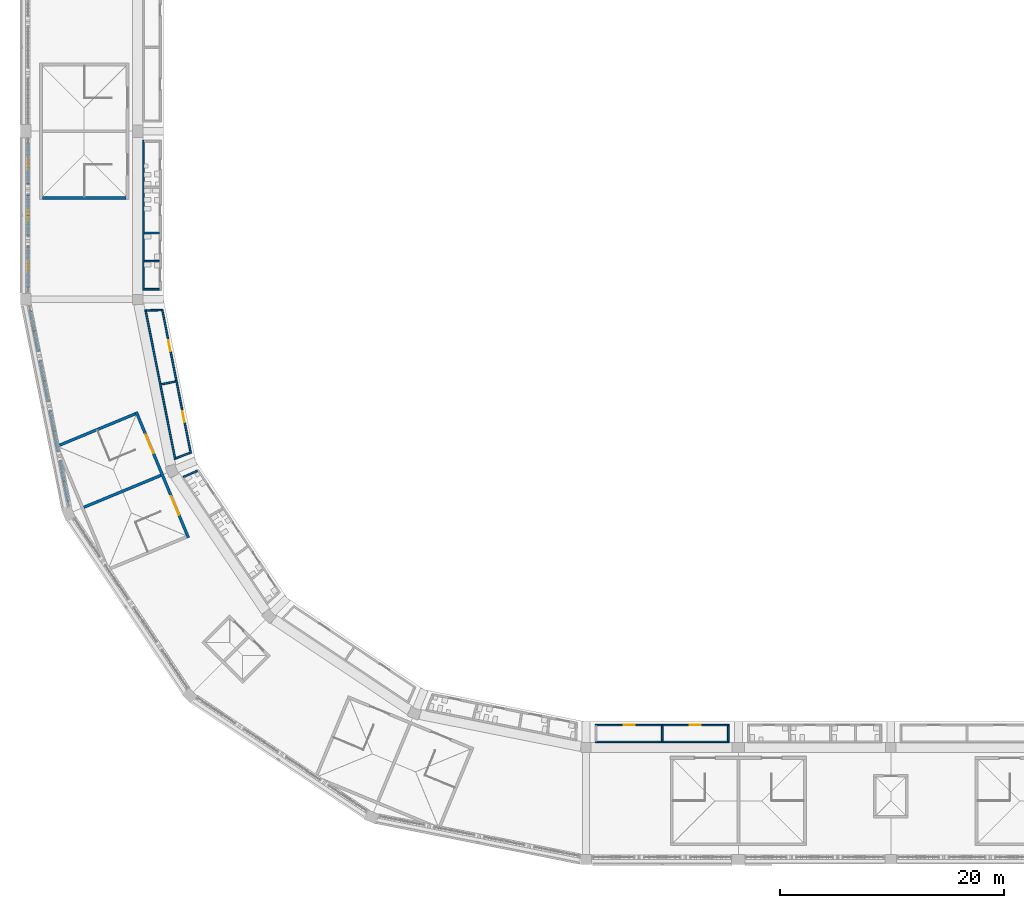
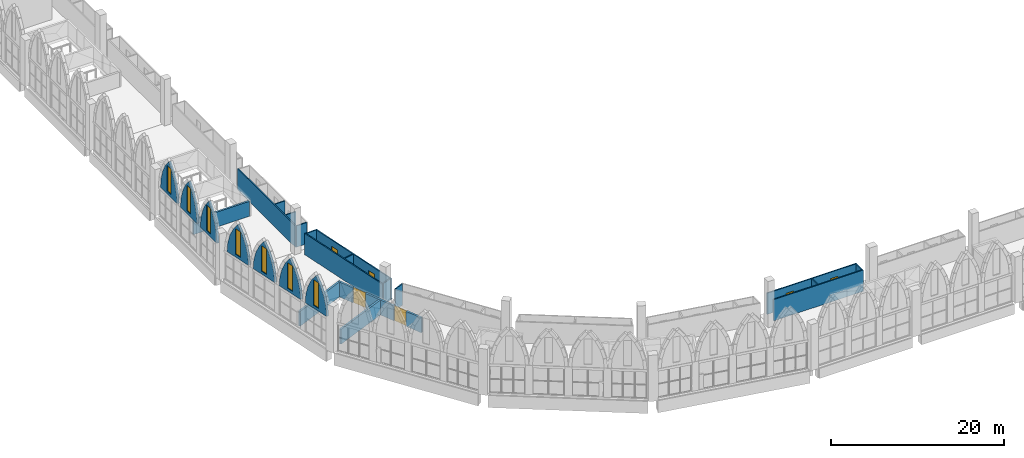
# One storey, part 65 of 130: 25 walls, 7 windows, 6 doors, 13 openings.
"""IFC4 building model written with IfcOpenShell, lengths in metres."""

from ifc_helpers import new_model, si_unit, direction, frame, frame_2d, origin, place, context, subcontext, project, spatial, polyline, rectangle, outline, extrude, material, layer, layer_set, type_object, element, fill, save


model = new_model("IFC4")

# Units and contexts
model_context = context("Model", 3, precision=1e-05, world=origin(), true_north=direction((0.0, 1.0)))
body_context = subcontext(model_context, "Body", "Model", "MODEL_VIEW")
ifc_project = project(units=[si_unit("LENGTHUNIT", "METRE"), si_unit("AREAUNIT", "SQUARE_METRE"), si_unit("VOLUMEUNIT", "CUBIC_METRE"), si_unit("PLANEANGLEUNIT", "RADIAN"), si_unit("MASSUNIT", "GRAM", prefix="KILO")], contexts=[model_context])

# Site, building, storey
site_placement = place(None, origin())
site = spatial("IfcSite", under=ifc_project, at=site_placement, CompositionType="ELEMENT")
building_placement = place(site_placement, origin())
building = spatial("IfcBuilding", under=site, at=building_placement, Name="Ogive Plaza Stadium", CompositionType="ELEMENT")
storey_placement = place(building_placement, frame((0.0, 0.0, 22.5)))
storey = spatial("IfcBuildingStorey", under=building, at=storey_placement, Name="L05", CompositionType="ELEMENT", Elevation=22.5)

# Wall, openings, doors
ifc_material_1 = material(Name="Masonry blockwork", Category="masonry")
ifc_layer_1 = layer(ifc_material_1, 0.14990234375)
ifc_layer_set_1 = layer_set([ifc_layer_1], Name="Blockwork wall 150")
wall_type_1 = type_object("IfcWallType", Name="Blockwork wall 150", PredefinedType="SOLIDWALL", material=ifc_layer_set_1)
wall_1_placement = place(storey_placement, frame((-21.22509765625, -90.5, 0.0), z_axis=(0.0, 0.0, 1.0), x_axis=(-1.0, 0.0, 0.0)))
wall_1 = element("IfcWall", 1, at=wall_1_placement, inside=storey, type_object=wall_type_1, Name="Wall L05 B16", PredefinedType="SOLIDWALL", context=body_context, shape_type="SweptSolid", body=[
    extrude(rectangle(XDim=11.949951171875, YDim=0.14990234375, at=frame_2d((5.97509765625, 0.0))), origin(), (0.0, 0.0, 1.0), 3.0),
])
opening_1_placement = place(wall_1_placement, frame((2.52490234375, 0.0, 0.0)))
opening_1 = element("IfcOpeningElement", 2, at=opening_1_placement, cuts=wall_1, Name="Opening D0963", PredefinedType="OPENING", context=body_context, shape_type="SweptSolid", body=[
    extrude(rectangle(XDim=1.0, YDim=2.10009765625, at=frame_2d((0.5, 1.050048828125))), frame((0.0, 0.074951171875, 0.0), z_axis=(0.0, -1.0, 0.0), x_axis=(1.0, 0.0, 0.0)), (0.0, 0.0, 1.0), 0.14990234375),
])
opening_2_placement = place(wall_1_placement, frame((8.425048828125, 0.0, 0.0)))
opening_2 = element("IfcOpeningElement", 3, at=opening_2_placement, cuts=wall_1, Name="Opening D0964", PredefinedType="OPENING", context=body_context, shape_type="SweptSolid", body=[
    extrude(rectangle(XDim=1.0, YDim=2.10009765625, at=frame_2d((0.5, 1.050048828125))), frame((0.0, 0.074951171875, 0.0), z_axis=(0.0, -1.0, 0.0), x_axis=(1.0, 0.0, 0.0)), (0.0, 0.0, 1.0), 0.14990234375),
])
ifc_material_2 = material(Name="Steel ASTM A572 Grade 50", Category="steel")
door_type_1 = type_object("IfcDoorType", Name="Door 1000 x 2100", OperationType="SINGLE_SWING_LEFT", PredefinedType="DOOR", material=ifc_material_2)
door_1_placement = place(opening_1_placement, origin())
door_1 = element("IfcDoor", 4, at=door_1_placement, inside=storey, type_object=door_type_1, Name="Concession Stand B16 door", OperationType="SINGLE_SWING_LEFT", OverallHeight=2.10009765625, OverallWidth=1.0, PredefinedType="DOOR", context=body_context, shape_type="SweptSolid", body=[
    extrude(rectangle(XDim=1.0, YDim=2.10009765625, at=frame_2d((0.5, 1.050048828125))), frame((0.0, 0.02490234375, 0.0), z_axis=(0.0, -1.0, 0.0), x_axis=(1.0, 0.0, 0.0)), (0.0, 0.0, 1.0), 0.050048828125),
])
fill(opening_1, door_1)
door_2_placement = place(opening_2_placement, origin())
door_2 = element("IfcDoor", 5, at=door_2_placement, inside=storey, type_object=door_type_1, Name="Concession Stand B16 door", OperationType="SINGLE_SWING_RIGHT", OverallHeight=2.10009765625, OverallWidth=1.0, PredefinedType="DOOR", context=body_context, shape_type="SweptSolid", body=[
    extrude(rectangle(XDim=1.0, YDim=2.10009765625, at=frame_2d((0.5, 1.050048828125))), frame((0.0, 0.02490234375, 0.0), z_axis=(0.0, -1.0, 0.0), x_axis=(1.0, 0.0, 0.0)), (0.0, 0.0, 1.0), 0.050048828125),
])
fill(opening_2, door_2)

# Walls
wall_2_placement = place(storey_placement, frame((-21.22509765625, -92.0, 0.0), z_axis=(0.0, 0.0, 1.0), x_axis=(-1.0, 0.0, 0.0)))
element("IfcWall", 6, at=wall_2_placement, inside=storey, type_object=wall_type_1, Name="Wall L05 B16", PredefinedType="SOLIDWALL", context=body_context, shape_type="SweptSolid", body=[
    extrude(rectangle(XDim=11.949951171875, YDim=0.14990234375, at=frame_2d((5.97509765625, 0.0))), origin(), (0.0, 0.0, 1.0), 3.0),
])
for number, where, z_axis, x_axis, name in (
    (7, (-21.300048828125, -90.574951171875, 0.0), (0.0, 0.0, 1.0), (0.0, -1.0, 0.0), "Wall L05 B16"),
    (8, (-27.199951171875, -90.574951171875, 0.0), (0.0, 0.0, 1.0), (0.0, -1.0, 0.0), "Wall L05 B16"),
):
    element("IfcWall", number, at=place(storey_placement, frame(where, z_axis=z_axis, x_axis=x_axis)), inside=storey, type_object=wall_type_1, Name=name, PredefinedType="SOLIDWALL", context=body_context, shape_type="SweptSolid", body=[
        extrude(rectangle(XDim=1.35009765625, YDim=0.14990234375, at=frame_2d((0.675048828125, 0.0))), origin(), (0.0, 0.0, 1.0), 3.0),
    ])

# Wall, openings, doors
wall_3_placement = place(storey_placement, frame((-69.26513671875, -66.24853515625, 0.0), z_axis=(0.0, 0.0, 1.0), x_axis=(-0.195095631841, 0.980784224198, 0.0)))
wall_3 = element("IfcWall", 9, at=wall_3_placement, inside=storey, type_object=wall_type_1, Name="Wall L05 B20", PredefinedType="SOLIDWALL", context=body_context, shape_type="SweptSolid", body=[
    extrude(rectangle(XDim=13.11328125, YDim=0.14990234375, at=frame_2d((6.556640625, 0.0))), origin(), (0.0, 0.0, 1.0), 3.0),
])
opening_3_placement = place(wall_3_placement, frame((2.81494140625, 0.0, 0.0)))
opening_3 = element("IfcOpeningElement", 10, at=opening_3_placement, cuts=wall_3, Name="Opening D0975", PredefinedType="OPENING", context=body_context, shape_type="SweptSolid", body=[
    extrude(rectangle(XDim=1.0, YDim=2.10009765625, at=frame_2d((0.5, 1.050048828125))), frame((0.0, 0.074951171875, 0.0), z_axis=(0.0, -1.0, 0.0), x_axis=(1.0, 0.0, 0.0)), (0.0, 0.0, 1.0), 0.14990234375),
])
opening_4_placement = place(wall_3_placement, frame((9.298095703125, 0.0, 0.0)))
opening_4 = element("IfcOpeningElement", 11, at=opening_4_placement, cuts=wall_3, Name="Opening D0976", PredefinedType="OPENING", context=body_context, shape_type="SweptSolid", body=[
    extrude(rectangle(XDim=1.0, YDim=2.10009765625, at=frame_2d((0.5, 1.050048828125))), frame((0.0, 0.074951171875, 0.0), z_axis=(0.0, -1.0, 0.0), x_axis=(1.0, 0.0, 0.0)), (0.0, 0.0, 1.0), 0.14990234375),
])
door_3_placement = place(opening_3_placement, origin())
door_3 = element("IfcDoor", 12, at=door_3_placement, inside=storey, type_object=door_type_1, Name="Concession Stand B20 door", OperationType="SINGLE_SWING_LEFT", OverallHeight=2.10009765625, OverallWidth=1.0, PredefinedType="DOOR", context=body_context, shape_type="SweptSolid", body=[
    extrude(rectangle(XDim=1.0, YDim=2.10009765625, at=frame_2d((0.5, 1.050048828125))), frame((0.0, 0.02490234375, 0.0), z_axis=(0.0, -1.0, 0.0), x_axis=(1.0, 0.0, 0.0)), (0.0, 0.0, 1.0), 0.050048828125),
])
fill(opening_3, door_3)
door_4_placement = place(opening_4_placement, origin())
door_4 = element("IfcDoor", 13, at=door_4_placement, inside=storey, type_object=door_type_1, Name="Concession Stand B20 door", OperationType="SINGLE_SWING_RIGHT", OverallHeight=2.10009765625, OverallWidth=1.0, PredefinedType="DOOR", context=body_context, shape_type="SweptSolid", body=[
    extrude(rectangle(XDim=1.0, YDim=2.10009765625, at=frame_2d((0.5, 1.050048828125))), frame((0.0, 0.02490234375, 0.0), z_axis=(0.0, -1.0, 0.0), x_axis=(1.0, 0.0, 0.0)), (0.0, 0.0, 1.0), 0.050048828125),
])
fill(opening_4, door_4)

# Walls
wall_4_placement = place(storey_placement, frame((-70.6572265625, -66.791259765625, 0.0), z_axis=(0.0, 0.0, 1.0), x_axis=(-0.195103376128, 0.980782683689, 0.0)))
element("IfcWall", 14, at=wall_4_placement, inside=storey, type_object=wall_type_1, Name="Wall L05 B20", PredefinedType="SOLIDWALL", context=body_context, shape_type="SweptSolid", body=[
    extrude(rectangle(XDim=13.630859375, YDim=0.14990234375, at=frame_2d((6.8154296875, 0.0))), origin(), (0.0, 0.0, 1.0), 3.0),
])
wall_5_placement = place(storey_placement, frame((-69.34912109375, -66.203369140625, 0.0), z_axis=(0.0, 0.0, 1.0), x_axis=(-0.932406277831, -0.36141186071, 0.0)))
element("IfcWall", 15, at=wall_5_placement, inside=storey, type_object=wall_type_1, Name="Wall L05 B20", PredefinedType="SOLIDWALL", context=body_context, shape_type="SweptSolid", body=[
    extrude(rectangle(XDim=1.34423828125, YDim=0.14990234375, at=frame_2d((0.672119140625, 0.0))), origin(), (0.0, 0.0, 1.0), 3.0),
])
wall_6_placement = place(storey_placement, frame((-70.616455078125, -59.832275390625, 0.0), z_axis=(0.0, 0.0, 1.0), x_axis=(-0.980531003602, -0.196364332237, 0.0)))
element("IfcWall", 16, at=wall_6_placement, inside=storey, type_object=wall_type_1, Name="Wall L05 B20", PredefinedType="SOLIDWALL", context=body_context, shape_type="SweptSolid", body=[
    extrude(rectangle(XDim=1.32421875, YDim=0.14990234375, at=frame_2d((0.662109375, 0.0))), origin(), (0.0, 0.0, 1.0), 3.0),
])
wall_7_placement = place(storey_placement, frame((-71.8837890625, -53.46142578125, 0.0), z_axis=(0.0, 0.0, 1.0), x_axis=(-0.999681029438, -0.025255482205, 0.0)))
element("IfcWall", 17, at=wall_7_placement, inside=storey, type_object=wall_type_1, Name="Wall L05 B20", PredefinedType="SOLIDWALL", context=body_context, shape_type="SweptSolid", body=[
    extrude(rectangle(XDim=1.34375, YDim=0.14990234375, at=frame_2d((0.671875, 0.0))), origin(), (0.0, 0.0, 1.0), 3.0),
])

# Wall, openings, doors
ifc_material_3 = material(Name="Concrete C40/50", Category="concrete")
ifc_layer_2 = layer(ifc_material_3, 0.25)
ifc_layer_set_2 = layer_set([ifc_layer_2], Name="Concrete C40/50")
wall_type_2 = type_object("IfcWallType", Name="Core wall 250", PredefinedType="SHEAR", material=ifc_layer_set_2)
wall_8_placement = place(storey_placement, frame((-74.134521484375, -62.548828125, 0.0), z_axis=(0.0, 0.0, 1.0), x_axis=(0.382688386133, -0.923877480578, 0.0)))
wall_8 = element("IfcWall", 18, at=wall_8_placement, inside=storey, type_object=wall_type_2, Name="Stair core R20 inner wall", PredefinedType="SHEAR", context=body_context, shape_type="SweptSolid", body=[
    extrude(rectangle(XDim=12.14990234375, YDim=0.25, at=frame_2d((6.074951171875, 0.0))), origin(), (0.0, 0.0, 1.0), 2.10009765625),
])
opening_5_placement = place(wall_8_placement, frame((2.199951171875, 0.0, 0.0)))
opening_5 = element("IfcOpeningElement", 19, at=opening_5_placement, cuts=wall_8, Name="Opening D0167", PredefinedType="OPENING", context=body_context, shape_type="SweptSolid", body=[
    extrude(rectangle(XDim=1.800048828125, YDim=2.10009765625, at=frame_2d((0.89990234375, 1.050048828125))), frame((0.0, 0.125, 0.0), z_axis=(0.0, -1.0, 0.0), x_axis=(1.0, 0.0, 0.0)), (0.0, 0.0, 1.0), 0.25),
])
opening_6_placement = place(wall_8_placement, frame((8.14990234375, 0.0, 0.0)))
opening_6 = element("IfcOpeningElement", 20, at=opening_6_placement, cuts=wall_8, Name="Opening D0168", PredefinedType="OPENING", context=body_context, shape_type="SweptSolid", body=[
    extrude(rectangle(XDim=1.800048828125, YDim=2.10009765625, at=frame_2d((0.89990234375, 1.050048828125))), frame((0.0, 0.125, 0.0), z_axis=(0.0, -1.0, 0.0), x_axis=(1.0, 0.0, 0.0)), (0.0, 0.0, 1.0), 0.25),
])
ifc_material_4 = material(Name="Steel ASTM A572 Grade 50", Category="steel")
door_type_2 = type_object("IfcDoorType", Name="Fire door FD90 pair 1800 x 2100", OperationType="DOUBLE_DOOR_SINGLE_SWING", PredefinedType="DOOR", material=ifc_material_4)
door_5_placement = place(opening_5_placement, origin())
door_5 = element("IfcDoor", 21, at=door_5_placement, inside=storey, type_object=door_type_2, Name="Exit stair R20A door L05", OperationType="DOUBLE_DOOR_SINGLE_SWING", OverallHeight=2.10009765625, OverallWidth=1.800048828125, PredefinedType="DOOR", context=body_context, shape_type="SweptSolid", body=[
    extrude(rectangle(XDim=1.800048828125, YDim=2.10009765625, at=frame_2d((0.89990234375, 1.050048828125))), frame((0.0, 0.02490234375, 0.0), z_axis=(0.0, -1.0, 0.0), x_axis=(1.0, 0.0, 0.0)), (0.0, 0.0, 1.0), 0.050048828125),
])
fill(opening_5, door_5)
door_6_placement = place(opening_6_placement, origin())
door_6 = element("IfcDoor", 22, at=door_6_placement, inside=storey, type_object=door_type_2, Name="Exit stair R20B door L05", OperationType="DOUBLE_DOOR_SINGLE_SWING", OverallHeight=2.10009765625, OverallWidth=1.800048828125, PredefinedType="DOOR", context=body_context, shape_type="SweptSolid", body=[
    extrude(rectangle(XDim=1.800048828125, YDim=2.10009765625, at=frame_2d((0.89990234375, 1.050048828125))), frame((0.0, 0.02490234375, 0.0), z_axis=(0.0, -1.0, 0.0), x_axis=(1.0, 0.0, 0.0)), (0.0, 0.0, 1.0), 0.050048828125),
])
fill(opening_6, door_6)

# Walls
wall_9_placement = place(storey_placement, frame((-74.2021484375, -62.712158203125, 0.0), z_axis=(0.0, 0.0, 1.0), x_axis=(-0.923887204407, -0.382664910245, 0.0)))
element("IfcWall", 23, at=wall_9_placement, inside=storey, type_object=wall_type_2, Name="Stair core R20 side wall", PredefinedType="SHEAR", context=body_context, shape_type="SweptSolid", body=[
    extrude(rectangle(XDim=7.460205078125, YDim=0.25, at=frame_2d((3.72998046875, 0.0))), origin(), (0.0, 0.0, 1.0), 2.10009765625),
])
for number, where, z_axis, x_axis, name in (
    (24, (-71.92529296875, -68.209228515625, 0.0), (0.0, 0.0, 1.0), (-0.923882412044, -0.382676480483, 0.0), "Stair core R20 centre wall"),
    (25, (-75.050048828125, -43.449951171875, 0.0), (0.0, 0.0, 1.0), (-1.0, 0.0, 0.0), "Stair core R22 side wall"),
):
    element("IfcWall", number, at=place(storey_placement, frame(where, z_axis=z_axis, x_axis=x_axis)), inside=storey, type_object=wall_type_2, Name=name, PredefinedType="SHEAR", context=body_context, shape_type="SweptSolid", body=[
        extrude(rectangle(XDim=7.4599609375, YDim=0.25, at=frame_2d((3.72998046875, 0.0))), origin(), (0.0, 0.0, 1.0), 2.10009765625),
    ])
ifc_material_5 = material(Name="Gypsum board partition", Category="gypsum")
ifc_layer_3 = layer(ifc_material_5, 0.14990234375)
ifc_layer_set_3 = layer_set([ifc_layer_3], Name="Partition 150")
wall_type_3 = type_object("IfcWallType", Name="Partition 150", PredefinedType="PARTITIONING", material=ifc_layer_set_3)
wall_10_placement = place(storey_placement, frame((-68.685302734375, -67.805908203125, 0.0), z_axis=(0.0, 0.0, 1.0), x_axis=(-0.914894130368, -0.403693857048, 0.0)))
element("IfcWall", 26, at=wall_10_placement, inside=storey, type_object=wall_type_3, Name="Wall L05 B19", PredefinedType="PARTITIONING", context=body_context, shape_type="SweptSolid", body=[
    extrude(rectangle(XDim=1.344482421875, YDim=0.14990234375, at=frame_2d((0.67236328125, 0.0))), origin(), (0.0, 0.0, 1.0), 3.0),
])
wall_11_placement = place(storey_placement, frame((-73.5, -38.324951171875, 0.0), z_axis=(0.0, 0.0, 1.0), x_axis=(0.0, -1.0, 0.0)))
element("IfcWall", 27, at=wall_11_placement, inside=storey, type_object=wall_type_3, Name="Wall L05 B21", PredefinedType="PARTITIONING", context=body_context, shape_type="SweptSolid", body=[
    extrude(rectangle(XDim=13.35009765625, YDim=0.14990234375, at=frame_2d((6.675048828125, 0.0))), origin(), (0.0, 0.0, 1.0), 3.0),
])
for number, where, z_axis, x_axis, name in (
    (28, (-72.074951171875, -46.583984375, 0.0), (0.0, 0.0, 1.0), (-1.0, 0.0, 0.0), "Wall L05 B21"),
    (29, (-72.074951171875, -49.092041015625, 0.0), (0.0, 0.0, 1.0), (-1.0, 0.0, 0.0), "Wall L05 B21"),
    (30, (-72.074951171875, -51.60009765625, 0.0), (0.0, 0.0, 1.0), (-1.0, 0.0, 0.0), "Wall L05 B21"),
):
    element("IfcWall", number, at=place(storey_placement, frame(where, z_axis=z_axis, x_axis=x_axis)), inside=storey, type_object=wall_type_3, Name=name, PredefinedType="PARTITIONING", context=body_context, shape_type="SweptSolid", body=[
        extrude(rectangle(XDim=1.35009765625, YDim=0.14990234375, at=frame_2d((0.675048828125, 0.0))), origin(), (0.0, 0.0, 1.0), 3.0),
    ])

# Wall, opening, window
ifc_material_6 = material(Name="Concrete C45/55 precast", Category="concrete")
ifc_layer_4 = layer(ifc_material_6, 0.25)
ifc_material_7 = material(Name="Cast stone (reconstituted limestone)", Category="masonry")
ifc_layer_5 = layer(ifc_material_7, 0.050048828125)
ifc_layer_set_4 = layer_set([ifc_layer_4, ifc_layer_5], Name="Concrete C45/55 precast, cast stone facing")
wall_type_4 = type_object("IfcWallType", Name="Tympanum wall 300", PredefinedType="SOLIDWALL", material=ifc_layer_set_4)
wall_12_placement = place(storey_placement, frame((-80.20068359375, -70.57470703125, 4.10009765625), z_axis=(0.0, 0.0, 1.0), x_axis=(-0.195141306446, 0.980775137592, 0.0)))
wall_12 = element("IfcWall", 31, at=wall_12_placement, inside=storey, type_object=wall_type_4, Name="TYMPANUM B20 1", PredefinedType="SOLIDWALL", context=body_context, shape_type="SweptSolid", body=[
    extrude(outline(polyline([(0.0, 0.0), (3.757080078125, 0.0), (3.757080078125, 0.0498046875), (3.634521484375, 1.311279296875), (3.270751953125, 2.5771484375), (2.678466796875, 3.753662109375), (1.878662109375, 4.7998046875), (1.07861328125, 3.753662109375), (0.486328125, 2.5771484375), (0.12255859375, 1.311279296875), (0.0, 0.0498046875), (0.0, 0.0)])), frame((0.0, 0.14990234375, 0.0), z_axis=(0.0, -1.0, 0.0), x_axis=(1.0, 0.0, 0.0)), (0.0, 0.0, 1.0), 0.300048828125),
])
opening_7_placement = place(wall_12_placement, frame((1.428466796875, 0.0, 0.39990234375)))
opening_7 = element("IfcOpeningElement", 32, at=opening_7_placement, cuts=wall_12, Name="Opening W-20-1", PredefinedType="OPENING", context=body_context, shape_type="SweptSolid", body=[
    extrude(rectangle(XDim=0.89990234375, YDim=3.60009765625, at=frame_2d((0.449951171875, 1.800048828125))), frame((0.0, 0.16015625, 0.0), z_axis=(0.0, -1.0, 0.0), x_axis=(1.0, 0.0, 0.0)), (0.0, 0.0, 1.0), 0.320068359375),
])
ifc_material_8 = material(Name="Bronze-anodised aluminium and laminated glass", Category="aluminium")
window_type = type_object("IfcWindowType", Name="Lancet window 900 x 3600", PartitioningType="SINGLE_PANEL", PredefinedType="WINDOW", material=ifc_material_8)
window_1_placement = place(opening_7_placement, origin())
window_1 = element("IfcWindow", 33, at=window_1_placement, inside=storey, type_object=window_type, Name="LANCET WINDOW B20 1", OverallHeight=3.60009765625, OverallWidth=0.89990234375, PartitioningType="SINGLE_PANEL", PredefinedType="WINDOW", context=body_context, shape_type="SweptSolid", body=[
    extrude(rectangle(XDim=0.89990234375, YDim=3.60009765625, at=frame_2d((0.449951171875, 1.800048828125))), frame((0.0, 0.030029296875, 0.0), z_axis=(0.0, -1.0, 0.0), x_axis=(1.0, 0.0, 0.0)), (0.0, 0.0, 1.0), 0.06005859375),
])
fill(opening_7, window_1)

wall_13_placement = place(storey_placement, frame((-81.08984375, -66.105224609375, 4.10009765625), z_axis=(0.0, 0.0, 1.0), x_axis=(-0.195078797665, 0.980787572669, 0.0)))
wall_13 = element("IfcWall", 34, at=wall_13_placement, inside=storey, type_object=wall_type_4, Name="TYMPANUM B20 2", PredefinedType="SOLIDWALL", context=body_context, shape_type="SweptSolid", body=[
    extrude(outline(polyline([(0.0, 0.0), (3.757080078125, 0.0), (3.757080078125, 0.0498046875), (3.634521484375, 1.311279296875), (3.270751953125, 2.5771484375), (2.678466796875, 3.753662109375), (1.878662109375, 4.7998046875), (1.07861328125, 3.753662109375), (0.486328125, 2.5771484375), (0.12255859375, 1.311279296875), (0.0, 0.0498046875), (0.0, 0.0)])), frame((0.0, 0.14990234375, 0.0), z_axis=(0.0, -1.0, 0.0), x_axis=(1.0, 0.0, 0.0)), (0.0, 0.0, 1.0), 0.300048828125),
])
opening_8_placement = place(wall_13_placement, frame((1.428466796875, 0.0, 0.39990234375)))
opening_8 = element("IfcOpeningElement", 35, at=opening_8_placement, cuts=wall_13, Name="Opening W-20-2", PredefinedType="OPENING", context=body_context, shape_type="SweptSolid", body=[
    extrude(rectangle(XDim=0.89990234375, YDim=3.60009765625, at=frame_2d((0.449951171875, 1.800048828125))), frame((0.0, 0.16015625, 0.0), z_axis=(0.0, -1.0, 0.0), x_axis=(1.0, 0.0, 0.0)), (0.0, 0.0, 1.0), 0.320068359375),
])
window_2_placement = place(opening_8_placement, origin())
window_2 = element("IfcWindow", 36, at=window_2_placement, inside=storey, type_object=window_type, Name="LANCET WINDOW B20 2", OverallHeight=3.60009765625, OverallWidth=0.89990234375, PartitioningType="SINGLE_PANEL", PredefinedType="WINDOW", context=body_context, shape_type="SweptSolid", body=[
    extrude(rectangle(XDim=0.89990234375, YDim=3.60009765625, at=frame_2d((0.449951171875, 1.800048828125))), frame((0.0, 0.030029296875, 0.0), z_axis=(0.0, -1.0, 0.0), x_axis=(1.0, 0.0, 0.0)), (0.0, 0.0, 1.0), 0.06005859375),
])
fill(opening_8, window_2)

wall_14_placement = place(storey_placement, frame((-81.978759765625, -61.6357421875, 4.10009765625), z_axis=(0.0, 0.0, 1.0), x_axis=(-0.195141306446, 0.980775137592, 0.0)))
wall_14 = element("IfcWall", 37, at=wall_14_placement, inside=storey, type_object=wall_type_4, Name="TYMPANUM B20 3", PredefinedType="SOLIDWALL", context=body_context, shape_type="SweptSolid", body=[
    extrude(outline(polyline([(0.0, 0.0), (3.757080078125, 0.0), (3.757080078125, 0.0498046875), (3.634521484375, 1.311279296875), (3.270751953125, 2.5771484375), (2.678466796875, 3.753662109375), (1.878662109375, 4.7998046875), (1.07861328125, 3.753662109375), (0.486328125, 2.5771484375), (0.12255859375, 1.311279296875), (0.0, 0.0498046875), (0.0, 0.0)])), frame((0.0, 0.14990234375, 0.0), z_axis=(0.0, -1.0, 0.0), x_axis=(1.0, 0.0, 0.0)), (0.0, 0.0, 1.0), 0.300048828125),
])
opening_9_placement = place(wall_14_placement, frame((1.428466796875, 0.0, 0.39990234375)))
opening_9 = element("IfcOpeningElement", 38, at=opening_9_placement, cuts=wall_14, Name="Opening W-20-3", PredefinedType="OPENING", context=body_context, shape_type="SweptSolid", body=[
    extrude(rectangle(XDim=0.89990234375, YDim=3.60009765625, at=frame_2d((0.449951171875, 1.800048828125))), frame((0.0, 0.16015625, 0.0), z_axis=(0.0, -1.0, 0.0), x_axis=(1.0, 0.0, 0.0)), (0.0, 0.0, 1.0), 0.320068359375),
])
window_3_placement = place(opening_9_placement, origin())
window_3 = element("IfcWindow", 39, at=window_3_placement, inside=storey, type_object=window_type, Name="LANCET WINDOW B20 3", OverallHeight=3.60009765625, OverallWidth=0.89990234375, PartitioningType="SINGLE_PANEL", PredefinedType="WINDOW", context=body_context, shape_type="SweptSolid", body=[
    extrude(rectangle(XDim=0.89990234375, YDim=3.60009765625, at=frame_2d((0.449951171875, 1.800048828125))), frame((0.0, 0.030029296875, 0.0), z_axis=(0.0, -1.0, 0.0), x_axis=(1.0, 0.0, 0.0)), (0.0, 0.0, 1.0), 0.06005859375),
])
fill(opening_9, window_3)

wall_15_placement = place(storey_placement, frame((-82.867919921875, -57.166259765625, 4.10009765625), z_axis=(0.0, 0.0, 1.0), x_axis=(-0.195078797665, 0.980787572669, 0.0)))
wall_15 = element("IfcWall", 40, at=wall_15_placement, inside=storey, type_object=wall_type_4, Name="TYMPANUM B20 4", PredefinedType="SOLIDWALL", context=body_context, shape_type="SweptSolid", body=[
    extrude(outline(polyline([(0.0, 0.0), (3.757080078125, 0.0), (3.757080078125, 0.0498046875), (3.634521484375, 1.311279296875), (3.270751953125, 2.5771484375), (2.678466796875, 3.753662109375), (1.878662109375, 4.7998046875), (1.07861328125, 3.753662109375), (0.486328125, 2.5771484375), (0.12255859375, 1.311279296875), (0.0, 0.0498046875), (0.0, 0.0)])), frame((0.0, 0.14990234375, 0.0), z_axis=(0.0, -1.0, 0.0), x_axis=(1.0, 0.0, 0.0)), (0.0, 0.0, 1.0), 0.300048828125),
])
opening_10_placement = place(wall_15_placement, frame((1.428466796875, 0.0, 0.39990234375)))
opening_10 = element("IfcOpeningElement", 41, at=opening_10_placement, cuts=wall_15, Name="Opening W-20-4", PredefinedType="OPENING", context=body_context, shape_type="SweptSolid", body=[
    extrude(rectangle(XDim=0.89990234375, YDim=3.60009765625, at=frame_2d((0.449951171875, 1.800048828125))), frame((0.0, 0.16015625, 0.0), z_axis=(0.0, -1.0, 0.0), x_axis=(1.0, 0.0, 0.0)), (0.0, 0.0, 1.0), 0.320068359375),
])
window_4_placement = place(opening_10_placement, origin())
window_4 = element("IfcWindow", 42, at=window_4_placement, inside=storey, type_object=window_type, Name="LANCET WINDOW B20 4", OverallHeight=3.60009765625, OverallWidth=0.89990234375, PartitioningType="SINGLE_PANEL", PredefinedType="WINDOW", context=body_context, shape_type="SweptSolid", body=[
    extrude(rectangle(XDim=0.89990234375, YDim=3.60009765625, at=frame_2d((0.449951171875, 1.800048828125))), frame((0.0, 0.030029296875, 0.0), z_axis=(0.0, -1.0, 0.0), x_axis=(1.0, 0.0, 0.0)), (0.0, 0.0, 1.0), 0.06005859375),
])
fill(opening_10, window_4)

wall_16_placement = place(storey_placement, frame((-83.800048828125, -51.5, 4.10009765625), z_axis=(0.0, 0.0, 1.0), x_axis=(0.0, 1.0, 0.0)))
wall_16 = element("IfcWall", 43, at=wall_16_placement, inside=storey, type_object=wall_type_4, Name="TYMPANUM B21 1", PredefinedType="SOLIDWALL", context=body_context, shape_type="SweptSolid", body=[
    extrude(outline(polyline([(0.0, 0.0), (3.800048828125, 0.0), (3.800048828125, 0.0498046875), (3.67578125, 1.313720703125), (3.3076171875, 2.5810546875), (2.708740234375, 3.757080078125), (1.89990234375, 4.7998046875), (1.09130859375, 3.757080078125), (0.4921875, 2.5810546875), (0.124267578125, 1.313720703125), (0.0, 0.0498046875), (0.0, 0.0)])), frame((0.0, 0.14990234375, 0.0), z_axis=(0.0, -1.0, 0.0), x_axis=(1.0, 0.0, 0.0)), (0.0, 0.0, 1.0), 0.300048828125),
])
opening_11_placement = place(wall_16_placement, frame((1.449951171875, 0.0, 0.39990234375)))
opening_11 = element("IfcOpeningElement", 44, at=opening_11_placement, cuts=wall_16, Name="Opening W-21-1", PredefinedType="OPENING", context=body_context, shape_type="SweptSolid", body=[
    extrude(rectangle(XDim=0.89990234375, YDim=3.60009765625, at=frame_2d((0.449951171875, 1.800048828125))), frame((0.0, 0.16015625, 0.0), z_axis=(0.0, -1.0, 0.0), x_axis=(1.0, 0.0, 0.0)), (0.0, 0.0, 1.0), 0.320068359375),
])
window_5_placement = place(opening_11_placement, origin())
window_5 = element("IfcWindow", 45, at=window_5_placement, inside=storey, type_object=window_type, Name="LANCET WINDOW B21 1", OverallHeight=3.60009765625, OverallWidth=0.89990234375, PartitioningType="SINGLE_PANEL", PredefinedType="WINDOW", context=body_context, shape_type="SweptSolid", body=[
    extrude(rectangle(XDim=0.89990234375, YDim=3.60009765625, at=frame_2d((0.449951171875, 1.800048828125))), frame((0.0, 0.030029296875, 0.0), z_axis=(0.0, -1.0, 0.0), x_axis=(1.0, 0.0, 0.0)), (0.0, 0.0, 1.0), 0.06005859375),
])
fill(opening_11, window_5)

wall_17_placement = place(storey_placement, frame((-83.800048828125, -46.89990234375, 4.10009765625), z_axis=(0.0, 0.0, 1.0), x_axis=(0.0, 1.0, 0.0)))
wall_17 = element("IfcWall", 46, at=wall_17_placement, inside=storey, type_object=wall_type_4, Name="TYMPANUM B21 2", PredefinedType="SOLIDWALL", context=body_context, shape_type="SweptSolid", body=[
    extrude(outline(polyline([(0.0, 0.0), (3.7998046875, 0.0), (3.800048828125, 0.0498046875), (3.67578125, 1.313720703125), (3.3076171875, 2.5810546875), (2.708740234375, 3.757080078125), (1.89990234375, 4.7998046875), (1.09130859375, 3.757080078125), (0.4921875, 2.5810546875), (0.124267578125, 1.313720703125), (0.0, 0.0498046875), (0.0, 0.0)])), frame((0.0, 0.14990234375, 0.0), z_axis=(0.0, -1.0, 0.0), x_axis=(1.0, 0.0, 0.0)), (0.0, 0.0, 1.0), 0.300048828125),
])
opening_12_placement = place(wall_17_placement, frame((1.449951171875, 0.0, 0.39990234375)))
opening_12 = element("IfcOpeningElement", 47, at=opening_12_placement, cuts=wall_17, Name="Opening W-21-2", PredefinedType="OPENING", context=body_context, shape_type="SweptSolid", body=[
    extrude(rectangle(XDim=0.89990234375, YDim=3.60009765625, at=frame_2d((0.449951171875, 1.800048828125))), frame((0.0, 0.16015625, 0.0), z_axis=(0.0, -1.0, 0.0), x_axis=(1.0, 0.0, 0.0)), (0.0, 0.0, 1.0), 0.320068359375),
])
window_6_placement = place(opening_12_placement, origin())
window_6 = element("IfcWindow", 48, at=window_6_placement, inside=storey, type_object=window_type, Name="LANCET WINDOW B21 2", OverallHeight=3.60009765625, OverallWidth=0.89990234375, PartitioningType="SINGLE_PANEL", PredefinedType="WINDOW", context=body_context, shape_type="SweptSolid", body=[
    extrude(rectangle(XDim=0.89990234375, YDim=3.60009765625, at=frame_2d((0.449951171875, 1.800048828125))), frame((0.0, 0.030029296875, 0.0), z_axis=(0.0, -1.0, 0.0), x_axis=(1.0, 0.0, 0.0)), (0.0, 0.0, 1.0), 0.06005859375),
])
fill(opening_12, window_6)

wall_18_placement = place(storey_placement, frame((-83.800048828125, -42.300048828125, 4.10009765625), z_axis=(0.0, 0.0, 1.0), x_axis=(0.0, 1.0, 0.0)))
wall_18 = element("IfcWall", 49, at=wall_18_placement, inside=storey, type_object=wall_type_4, Name="TYMPANUM B21 3", PredefinedType="SOLIDWALL", context=body_context, shape_type="SweptSolid", body=[
    extrude(outline(polyline([(0.0, 0.0), (3.800048828125, 0.0), (3.800048828125, 0.0498046875), (3.67578125, 1.313720703125), (3.3076171875, 2.5810546875), (2.708740234375, 3.757080078125), (1.89990234375, 4.7998046875), (1.09130859375, 3.757080078125), (0.4921875, 2.5810546875), (0.124267578125, 1.313720703125), (0.0, 0.0498046875), (0.0, 0.0)])), frame((0.0, 0.14990234375, 0.0), z_axis=(0.0, -1.0, 0.0), x_axis=(1.0, 0.0, 0.0)), (0.0, 0.0, 1.0), 0.300048828125),
])
opening_13_placement = place(wall_18_placement, frame((1.449951171875, 0.0, 0.39990234375)))
opening_13 = element("IfcOpeningElement", 50, at=opening_13_placement, cuts=wall_18, Name="Opening W-21-3", PredefinedType="OPENING", context=body_context, shape_type="SweptSolid", body=[
    extrude(rectangle(XDim=0.89990234375, YDim=3.60009765625, at=frame_2d((0.449951171875, 1.800048828125))), frame((0.0, 0.16015625, 0.0), z_axis=(0.0, -1.0, 0.0), x_axis=(1.0, 0.0, 0.0)), (0.0, 0.0, 1.0), 0.320068359375),
])
window_7_placement = place(opening_13_placement, origin())
window_7 = element("IfcWindow", 51, at=window_7_placement, inside=storey, type_object=window_type, Name="LANCET WINDOW B21 3", OverallHeight=3.60009765625, OverallWidth=0.89990234375, PartitioningType="SINGLE_PANEL", PredefinedType="WINDOW", context=body_context, shape_type="SweptSolid", body=[
    extrude(rectangle(XDim=0.89990234375, YDim=3.60009765625, at=frame_2d((0.449951171875, 1.800048828125))), frame((0.0, 0.030029296875, 0.0), z_axis=(0.0, -1.0, 0.0), x_axis=(1.0, 0.0, 0.0)), (0.0, 0.0, 1.0), 0.06005859375),
])
fill(opening_13, window_7)

save(model, "model.ifc")
